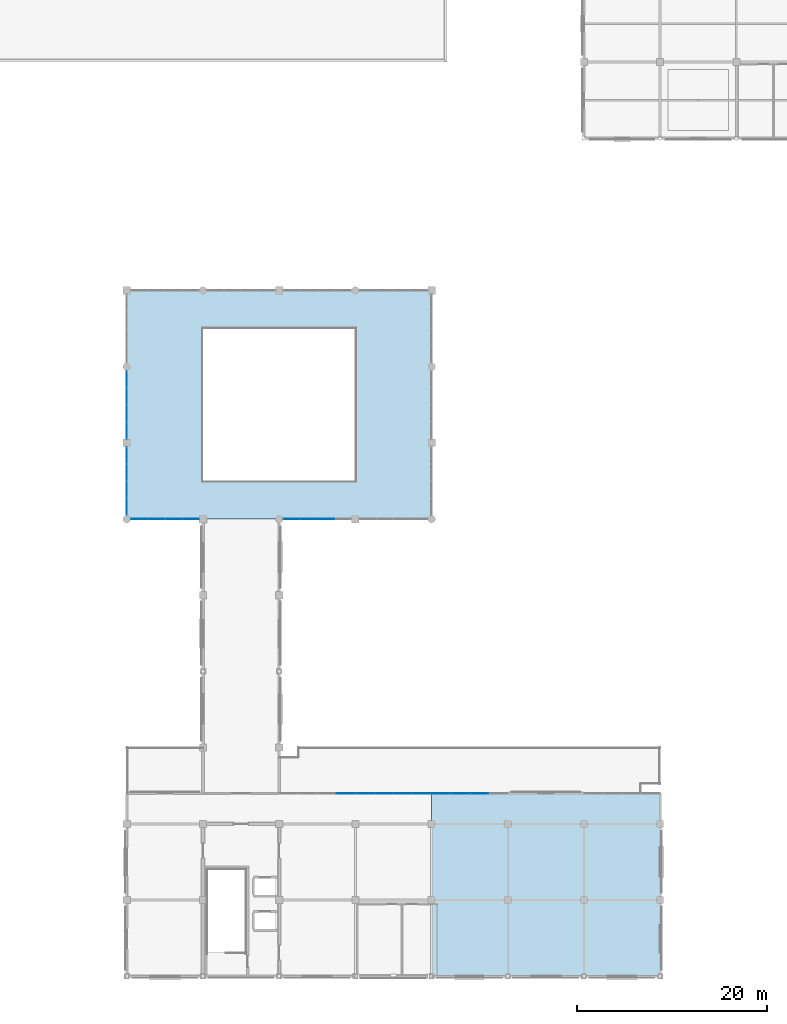
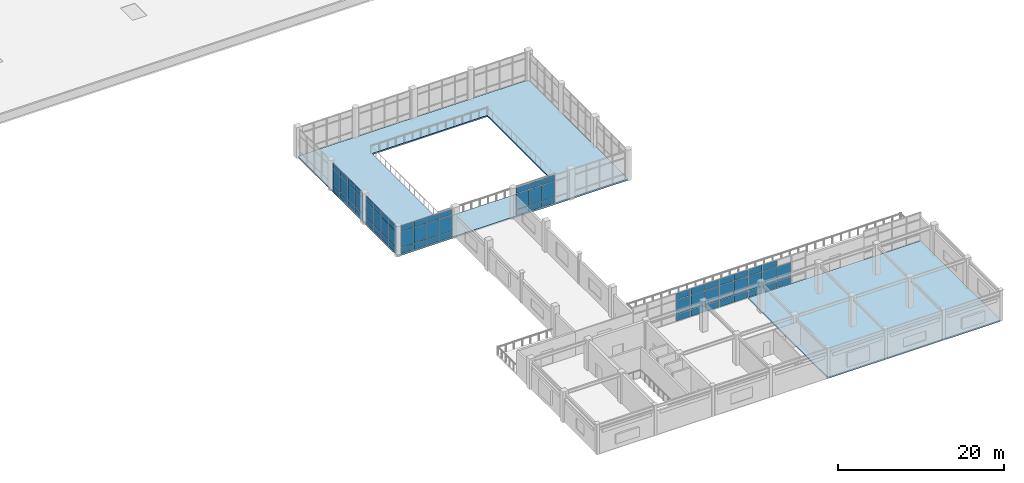
# One storey, part 27 of 42: 68 plates, 2 slabs, 7 elements without a shape of their own.
"""IFC4 building model written with IfcOpenShell, lengths in metres."""

from ifc_helpers import new_model, si_unit, direction, frame, origin, origin_2d, place, context, subcontext, project, spatial, polyline, rectangle, outline, extrude, material, layer, layer_set, type_object, element, aggregate, save


model = new_model("IFC4")

# Units and contexts
model_context = context("Model", 3, precision=1e-05, world=origin(), true_north=direction((0.0, 1.0)))
body_context = subcontext(model_context, "Body", "Model", "MODEL_VIEW")
ifc_project = project(units=[si_unit("LENGTHUNIT", "METRE"), si_unit("AREAUNIT", "SQUARE_METRE"), si_unit("VOLUMEUNIT", "CUBIC_METRE"), si_unit("PLANEANGLEUNIT", "RADIAN"), si_unit("MASSUNIT", "GRAM", prefix="KILO")], contexts=[model_context])

# Site, building, storey
site_placement = place(None, origin())
site = spatial("IfcSite", under=ifc_project, at=site_placement, CompositionType="ELEMENT")
building_placement = place(site_placement, origin())
building = spatial("IfcBuilding", under=site, at=building_placement, Name="Solmirada Galleria", CompositionType="ELEMENT")
storey_placement = place(building_placement, frame((0.0, 0.0, 28.39990234375)))
storey = spatial("IfcBuildingStorey", under=building, at=storey_placement, Name="L06", CompositionType="ELEMENT", Elevation=28.39990234375)

# Curtain wall, plates
ifc_material_1 = material(Name="Impact-resistant low-E double glazing", Category="glass")
curtain_wall_type_1 = type_object("IfcCurtainWallType", Name="CW-FZ3-L06-B4-L072", PredefinedType="NOTDEFINED", material=ifc_material_1)
curtain_wall_1_placement = place(storey_placement, origin())
curtain_wall_1 = element("IfcCurtainWall", 1, at=curtain_wall_1_placement, inside=storey, type_object=curtain_wall_type_1, Name="Terrace and arcade storefront CW-L06-185", PredefinedType="NOTDEFINED")
ifc_layer_1 = layer(ifc_material_1, 0.02392578125)
ifc_layer_set_1 = layer_set([ifc_layer_1], Name="Impact-resistant low-E double glazing")
plate_type_1 = type_object("IfcPlateType", Name="CW-PNL-CW38-T24", PredefinedType="CURTAIN_PANEL", material=ifc_layer_set_1)
plate_1_placement = place(storey_placement, frame((86.68359375, 48.0, 0.06005859375), z_axis=(0.0, 0.0, 1.0), x_axis=(-1.0, 0.0, 0.0)))
plate_1 = element("IfcPlate", 2, at=plate_1_placement, type_object=plate_type_1, Name="CW38 panel 1.1", PredefinedType="CURTAIN_PANEL", context=body_context, shape_type="SweptSolid", body=[
    extrude(rectangle(XDim=1.708984375, YDim=0.02392578125, at=origin_2d()), origin(), (0.0, 0.0, 1.0), 0.830078125),
])
plate_2_placement = place(storey_placement, frame((86.68359375, 48.0, 0.9501953125), z_axis=(0.0, 0.0, 1.0), x_axis=(-1.0, 0.0, 0.0)))
plate_2 = element("IfcPlate", 3, at=plate_2_placement, type_object=plate_type_1, Name="CW38 panel 1.2", PredefinedType="CURTAIN_PANEL", context=body_context, shape_type="SweptSolid", body=[
    extrude(rectangle(XDim=1.708984375, YDim=0.02392578125, at=origin_2d()), origin(), (0.0, 0.0, 1.0), 2.300048828125),
])
plate_3_placement = place(storey_placement, frame((86.68359375, 48.0, 3.31005859375), z_axis=(0.0, 0.0, 1.0), x_axis=(-1.0, 0.0, 0.0)))
plate_3 = element("IfcPlate", 4, at=plate_3_placement, type_object=plate_type_1, Name="CW38 panel 1.3", PredefinedType="CURTAIN_PANEL", context=body_context, shape_type="SweptSolid", body=[
    extrude(rectangle(XDim=1.708984375, YDim=0.02392578125, at=origin_2d()), origin(), (0.0, 0.0, 1.0), 0.85009765625),
])
plate_4_placement = place(storey_placement, frame((84.8994140625, 48.0, 0.06005859375), z_axis=(0.0, 0.0, 1.0), x_axis=(-1.0, 0.0, 0.0)))
plate_4 = element("IfcPlate", 5, at=plate_4_placement, type_object=plate_type_1, Name="CW38 panel 2.1", PredefinedType="CURTAIN_PANEL", context=body_context, shape_type="SweptSolid", body=[
    extrude(rectangle(XDim=1.739013671875, YDim=0.02392578125, at=origin_2d()), origin(), (0.0, 0.0, 1.0), 0.830078125),
])
plate_5_placement = place(storey_placement, frame((84.8994140625, 48.0, 0.9501953125), z_axis=(0.0, 0.0, 1.0), x_axis=(-1.0, 0.0, 0.0)))
plate_5 = element("IfcPlate", 6, at=plate_5_placement, type_object=plate_type_1, Name="CW38 panel 2.2", PredefinedType="CURTAIN_PANEL", context=body_context, shape_type="SweptSolid", body=[
    extrude(rectangle(XDim=1.739013671875, YDim=0.02392578125, at=origin_2d()), origin(), (0.0, 0.0, 1.0), 2.300048828125),
])
plate_6_placement = place(storey_placement, frame((84.8994140625, 48.0, 3.31005859375), z_axis=(0.0, 0.0, 1.0), x_axis=(-1.0, 0.0, 0.0)))
plate_6 = element("IfcPlate", 7, at=plate_6_placement, type_object=plate_type_1, Name="CW38 panel 2.3", PredefinedType="CURTAIN_PANEL", context=body_context, shape_type="SweptSolid", body=[
    extrude(rectangle(XDim=1.739013671875, YDim=0.02392578125, at=origin_2d()), origin(), (0.0, 0.0, 1.0), 0.85009765625),
])
plate_7_placement = place(storey_placement, frame((83.1005859375, 48.0, 0.06005859375), z_axis=(0.0, 0.0, 1.0), x_axis=(-1.0, 0.0, 0.0)))
plate_7 = element("IfcPlate", 8, at=plate_7_placement, type_object=plate_type_1, Name="CW38 panel 3.1", PredefinedType="CURTAIN_PANEL", context=body_context, shape_type="SweptSolid", body=[
    extrude(rectangle(XDim=1.739013671875, YDim=0.02392578125, at=origin_2d()), origin(), (0.0, 0.0, 1.0), 0.830078125),
])
plate_8_placement = place(storey_placement, frame((83.1005859375, 48.0, 0.9501953125), z_axis=(0.0, 0.0, 1.0), x_axis=(-1.0, 0.0, 0.0)))
plate_8 = element("IfcPlate", 9, at=plate_8_placement, type_object=plate_type_1, Name="CW38 panel 3.2", PredefinedType="CURTAIN_PANEL", context=body_context, shape_type="SweptSolid", body=[
    extrude(rectangle(XDim=1.739013671875, YDim=0.02392578125, at=origin_2d()), origin(), (0.0, 0.0, 1.0), 2.300048828125),
])
plate_9_placement = place(storey_placement, frame((83.1005859375, 48.0, 3.31005859375), z_axis=(0.0, 0.0, 1.0), x_axis=(-1.0, 0.0, 0.0)))
plate_9 = element("IfcPlate", 10, at=plate_9_placement, type_object=plate_type_1, Name="CW38 panel 3.3", PredefinedType="CURTAIN_PANEL", context=body_context, shape_type="SweptSolid", body=[
    extrude(rectangle(XDim=1.739013671875, YDim=0.02392578125, at=origin_2d()), origin(), (0.0, 0.0, 1.0), 0.85009765625),
])
plate_10_placement = place(storey_placement, frame((81.31640625, 48.0, 0.06005859375), z_axis=(0.0, 0.0, 1.0), x_axis=(-1.0, 0.0, 0.0)))
plate_10 = element("IfcPlate", 11, at=plate_10_placement, type_object=plate_type_1, Name="CW38 panel 4.1", PredefinedType="CURTAIN_PANEL", context=body_context, shape_type="SweptSolid", body=[
    extrude(rectangle(XDim=1.708984375, YDim=0.02392578125, at=origin_2d()), origin(), (0.0, 0.0, 1.0), 0.830078125),
])
plate_11_placement = place(storey_placement, frame((81.31640625, 48.0, 0.9501953125), z_axis=(0.0, 0.0, 1.0), x_axis=(-1.0, 0.0, 0.0)))
plate_11 = element("IfcPlate", 12, at=plate_11_placement, type_object=plate_type_1, Name="CW38 panel 4.2", PredefinedType="CURTAIN_PANEL", context=body_context, shape_type="SweptSolid", body=[
    extrude(rectangle(XDim=1.708984375, YDim=0.02392578125, at=origin_2d()), origin(), (0.0, 0.0, 1.0), 2.300048828125),
])
plate_12_placement = place(storey_placement, frame((81.31640625, 48.0, 3.31005859375), z_axis=(0.0, 0.0, 1.0), x_axis=(-1.0, 0.0, 0.0)))
plate_12 = element("IfcPlate", 13, at=plate_12_placement, type_object=plate_type_1, Name="CW38 panel 4.3", PredefinedType="CURTAIN_PANEL", context=body_context, shape_type="SweptSolid", body=[
    extrude(rectangle(XDim=1.708984375, YDim=0.02392578125, at=origin_2d()), origin(), (0.0, 0.0, 1.0), 0.85009765625),
])
aggregate(curtain_wall_1, [plate_1, plate_2, plate_3, plate_4, plate_5, plate_6, plate_7, plate_8, plate_9, plate_10, plate_11, plate_12])

curtain_wall_2_placement = place(storey_placement, origin())
curtain_wall_2 = element("IfcCurtainWall", 14, at=curtain_wall_2_placement, inside=storey, type_object=curtain_wall_type_1, Name="Terrace and arcade storefront CW-L06-186", PredefinedType="NOTDEFINED")
plate_13_placement = place(storey_placement, frame((80.0, 49.31640625, 0.06005859375), z_axis=(0.0, 0.0, 1.0), x_axis=(0.0, 1.0, 0.0)))
plate_13 = element("IfcPlate", 15, at=plate_13_placement, type_object=plate_type_1, Name="CW38 panel 1.1", PredefinedType="CURTAIN_PANEL", context=body_context, shape_type="SweptSolid", body=[
    extrude(rectangle(XDim=1.708984375, YDim=0.02392578125, at=origin_2d()), origin(), (0.0, 0.0, 1.0), 0.830078125),
])
plate_14_placement = place(storey_placement, frame((80.0, 49.31640625, 0.9501953125), z_axis=(0.0, 0.0, 1.0), x_axis=(0.0, 1.0, 0.0)))
plate_14 = element("IfcPlate", 16, at=plate_14_placement, type_object=plate_type_1, Name="CW38 panel 1.2", PredefinedType="CURTAIN_PANEL", context=body_context, shape_type="SweptSolid", body=[
    extrude(rectangle(XDim=1.708984375, YDim=0.02392578125, at=origin_2d()), origin(), (0.0, 0.0, 1.0), 2.300048828125),
])
plate_15_placement = place(storey_placement, frame((80.0, 49.31640625, 3.31005859375), z_axis=(0.0, 0.0, 1.0), x_axis=(0.0, 1.0, 0.0)))
plate_15 = element("IfcPlate", 17, at=plate_15_placement, type_object=plate_type_1, Name="CW38 panel 1.3", PredefinedType="CURTAIN_PANEL", context=body_context, shape_type="SweptSolid", body=[
    extrude(rectangle(XDim=1.708984375, YDim=0.02392578125, at=origin_2d()), origin(), (0.0, 0.0, 1.0), 0.85009765625),
])
plate_16_placement = place(storey_placement, frame((80.0, 51.1005859375, 0.06005859375), z_axis=(0.0, 0.0, 1.0), x_axis=(0.0, 1.0, 0.0)))
plate_16 = element("IfcPlate", 18, at=plate_16_placement, type_object=plate_type_1, Name="CW38 panel 2.1", PredefinedType="CURTAIN_PANEL", context=body_context, shape_type="SweptSolid", body=[
    extrude(rectangle(XDim=1.739013671875, YDim=0.02392578125, at=origin_2d()), origin(), (0.0, 0.0, 1.0), 0.830078125),
])
plate_17_placement = place(storey_placement, frame((80.0, 51.1005859375, 0.9501953125), z_axis=(0.0, 0.0, 1.0), x_axis=(0.0, 1.0, 0.0)))
plate_17 = element("IfcPlate", 19, at=plate_17_placement, type_object=plate_type_1, Name="CW38 panel 2.2", PredefinedType="CURTAIN_PANEL", context=body_context, shape_type="SweptSolid", body=[
    extrude(rectangle(XDim=1.739013671875, YDim=0.02392578125, at=origin_2d()), origin(), (0.0, 0.0, 1.0), 2.300048828125),
])
plate_18_placement = place(storey_placement, frame((80.0, 51.1005859375, 3.31005859375), z_axis=(0.0, 0.0, 1.0), x_axis=(0.0, 1.0, 0.0)))
plate_18 = element("IfcPlate", 20, at=plate_18_placement, type_object=plate_type_1, Name="CW38 panel 2.3", PredefinedType="CURTAIN_PANEL", context=body_context, shape_type="SweptSolid", body=[
    extrude(rectangle(XDim=1.739013671875, YDim=0.02392578125, at=origin_2d()), origin(), (0.0, 0.0, 1.0), 0.85009765625),
])
plate_19_placement = place(storey_placement, frame((80.0, 52.8994140625, 0.06005859375), z_axis=(0.0, 0.0, 1.0), x_axis=(0.0, 1.0, 0.0)))
plate_19 = element("IfcPlate", 21, at=plate_19_placement, type_object=plate_type_1, Name="CW38 panel 3.1", PredefinedType="CURTAIN_PANEL", context=body_context, shape_type="SweptSolid", body=[
    extrude(rectangle(XDim=1.739013671875, YDim=0.02392578125, at=origin_2d()), origin(), (0.0, 0.0, 1.0), 0.830078125),
])
plate_20_placement = place(storey_placement, frame((80.0, 52.8994140625, 0.9501953125), z_axis=(0.0, 0.0, 1.0), x_axis=(0.0, 1.0, 0.0)))
plate_20 = element("IfcPlate", 22, at=plate_20_placement, type_object=plate_type_1, Name="CW38 panel 3.2", PredefinedType="CURTAIN_PANEL", context=body_context, shape_type="SweptSolid", body=[
    extrude(rectangle(XDim=1.739013671875, YDim=0.02392578125, at=origin_2d()), origin(), (0.0, 0.0, 1.0), 2.300048828125),
])
plate_21_placement = place(storey_placement, frame((80.0, 52.8994140625, 3.31005859375), z_axis=(0.0, 0.0, 1.0), x_axis=(0.0, 1.0, 0.0)))
plate_21 = element("IfcPlate", 23, at=plate_21_placement, type_object=plate_type_1, Name="CW38 panel 3.3", PredefinedType="CURTAIN_PANEL", context=body_context, shape_type="SweptSolid", body=[
    extrude(rectangle(XDim=1.739013671875, YDim=0.02392578125, at=origin_2d()), origin(), (0.0, 0.0, 1.0), 0.85009765625),
])
plate_22_placement = place(storey_placement, frame((80.0, 54.68359375, 0.06005859375), z_axis=(0.0, 0.0, 1.0), x_axis=(0.0, 1.0, 0.0)))
plate_22 = element("IfcPlate", 24, at=plate_22_placement, type_object=plate_type_1, Name="CW38 panel 4.1", PredefinedType="CURTAIN_PANEL", context=body_context, shape_type="SweptSolid", body=[
    extrude(rectangle(XDim=1.708984375, YDim=0.02392578125, at=origin_2d()), origin(), (0.0, 0.0, 1.0), 0.830078125),
])
plate_23_placement = place(storey_placement, frame((80.0, 54.68359375, 0.9501953125), z_axis=(0.0, 0.0, 1.0), x_axis=(0.0, 1.0, 0.0)))
plate_23 = element("IfcPlate", 25, at=plate_23_placement, type_object=plate_type_1, Name="CW38 panel 4.2", PredefinedType="CURTAIN_PANEL", context=body_context, shape_type="SweptSolid", body=[
    extrude(rectangle(XDim=1.708984375, YDim=0.02392578125, at=origin_2d()), origin(), (0.0, 0.0, 1.0), 2.300048828125),
])
plate_24_placement = place(storey_placement, frame((80.0, 54.68359375, 3.31005859375), z_axis=(0.0, 0.0, 1.0), x_axis=(0.0, 1.0, 0.0)))
plate_24 = element("IfcPlate", 26, at=plate_24_placement, type_object=plate_type_1, Name="CW38 panel 4.3", PredefinedType="CURTAIN_PANEL", context=body_context, shape_type="SweptSolid", body=[
    extrude(rectangle(XDim=1.708984375, YDim=0.02392578125, at=origin_2d()), origin(), (0.0, 0.0, 1.0), 0.85009765625),
])
aggregate(curtain_wall_2, [plate_13, plate_14, plate_15, plate_16, plate_17, plate_18, plate_19, plate_20, plate_21, plate_22, plate_23, plate_24])

curtain_wall_3_placement = place(storey_placement, origin())
curtain_wall_3 = element("IfcCurtainWall", 27, at=curtain_wall_3_placement, inside=storey, type_object=curtain_wall_type_1, Name="Terrace and arcade storefront CW-L06-187", PredefinedType="NOTDEFINED")
plate_25_placement = place(storey_placement, frame((80.0, 57.31640625, 0.06005859375), z_axis=(0.0, 0.0, 1.0), x_axis=(0.0, 1.0, 0.0)))
plate_25 = element("IfcPlate", 28, at=plate_25_placement, type_object=plate_type_1, Name="CW38 panel 1.1", PredefinedType="CURTAIN_PANEL", context=body_context, shape_type="SweptSolid", body=[
    extrude(rectangle(XDim=1.708984375, YDim=0.02392578125, at=origin_2d()), origin(), (0.0, 0.0, 1.0), 0.830078125),
])
plate_26_placement = place(storey_placement, frame((80.0, 57.31640625, 0.9501953125), z_axis=(0.0, 0.0, 1.0), x_axis=(0.0, 1.0, 0.0)))
plate_26 = element("IfcPlate", 29, at=plate_26_placement, type_object=plate_type_1, Name="CW38 panel 1.2", PredefinedType="CURTAIN_PANEL", context=body_context, shape_type="SweptSolid", body=[
    extrude(rectangle(XDim=1.708984375, YDim=0.02392578125, at=origin_2d()), origin(), (0.0, 0.0, 1.0), 2.300048828125),
])
plate_27_placement = place(storey_placement, frame((80.0, 57.31640625, 3.31005859375), z_axis=(0.0, 0.0, 1.0), x_axis=(0.0, 1.0, 0.0)))
plate_27 = element("IfcPlate", 30, at=plate_27_placement, type_object=plate_type_1, Name="CW38 panel 1.3", PredefinedType="CURTAIN_PANEL", context=body_context, shape_type="SweptSolid", body=[
    extrude(rectangle(XDim=1.708984375, YDim=0.02392578125, at=origin_2d()), origin(), (0.0, 0.0, 1.0), 0.85009765625),
])
plate_28_placement = place(storey_placement, frame((80.0, 59.1005859375, 0.06005859375), z_axis=(0.0, 0.0, 1.0), x_axis=(0.0, 1.0, 0.0)))
plate_28 = element("IfcPlate", 31, at=plate_28_placement, type_object=plate_type_1, Name="CW38 panel 2.1", PredefinedType="CURTAIN_PANEL", context=body_context, shape_type="SweptSolid", body=[
    extrude(rectangle(XDim=1.739013671875, YDim=0.02392578125, at=origin_2d()), origin(), (0.0, 0.0, 1.0), 0.830078125),
])
plate_29_placement = place(storey_placement, frame((80.0, 59.1005859375, 0.9501953125), z_axis=(0.0, 0.0, 1.0), x_axis=(0.0, 1.0, 0.0)))
plate_29 = element("IfcPlate", 32, at=plate_29_placement, type_object=plate_type_1, Name="CW38 panel 2.2", PredefinedType="CURTAIN_PANEL", context=body_context, shape_type="SweptSolid", body=[
    extrude(rectangle(XDim=1.739013671875, YDim=0.02392578125, at=origin_2d()), origin(), (0.0, 0.0, 1.0), 2.300048828125),
])
plate_30_placement = place(storey_placement, frame((80.0, 59.1005859375, 3.31005859375), z_axis=(0.0, 0.0, 1.0), x_axis=(0.0, 1.0, 0.0)))
plate_30 = element("IfcPlate", 33, at=plate_30_placement, type_object=plate_type_1, Name="CW38 panel 2.3", PredefinedType="CURTAIN_PANEL", context=body_context, shape_type="SweptSolid", body=[
    extrude(rectangle(XDim=1.739013671875, YDim=0.02392578125, at=origin_2d()), origin(), (0.0, 0.0, 1.0), 0.85009765625),
])
plate_31_placement = place(storey_placement, frame((80.0, 60.8994140625, 0.06005859375), z_axis=(0.0, 0.0, 1.0), x_axis=(0.0, 1.0, 0.0)))
plate_31 = element("IfcPlate", 34, at=plate_31_placement, type_object=plate_type_1, Name="CW38 panel 3.1", PredefinedType="CURTAIN_PANEL", context=body_context, shape_type="SweptSolid", body=[
    extrude(rectangle(XDim=1.739013671875, YDim=0.02392578125, at=origin_2d()), origin(), (0.0, 0.0, 1.0), 0.830078125),
])
plate_32_placement = place(storey_placement, frame((80.0, 60.8994140625, 0.9501953125), z_axis=(0.0, 0.0, 1.0), x_axis=(0.0, 1.0, 0.0)))
plate_32 = element("IfcPlate", 35, at=plate_32_placement, type_object=plate_type_1, Name="CW38 panel 3.2", PredefinedType="CURTAIN_PANEL", context=body_context, shape_type="SweptSolid", body=[
    extrude(rectangle(XDim=1.739013671875, YDim=0.02392578125, at=origin_2d()), origin(), (0.0, 0.0, 1.0), 2.300048828125),
])
plate_33_placement = place(storey_placement, frame((80.0, 60.8994140625, 3.31005859375), z_axis=(0.0, 0.0, 1.0), x_axis=(0.0, 1.0, 0.0)))
plate_33 = element("IfcPlate", 36, at=plate_33_placement, type_object=plate_type_1, Name="CW38 panel 3.3", PredefinedType="CURTAIN_PANEL", context=body_context, shape_type="SweptSolid", body=[
    extrude(rectangle(XDim=1.739013671875, YDim=0.02392578125, at=origin_2d()), origin(), (0.0, 0.0, 1.0), 0.85009765625),
])
plate_34_placement = place(storey_placement, frame((80.0, 62.68359375, 0.06005859375), z_axis=(0.0, 0.0, 1.0), x_axis=(0.0, 1.0, 0.0)))
plate_34 = element("IfcPlate", 37, at=plate_34_placement, type_object=plate_type_1, Name="CW38 panel 4.1", PredefinedType="CURTAIN_PANEL", context=body_context, shape_type="SweptSolid", body=[
    extrude(rectangle(XDim=1.708984375, YDim=0.02392578125, at=origin_2d()), origin(), (0.0, 0.0, 1.0), 0.830078125),
])
plate_35_placement = place(storey_placement, frame((80.0, 62.68359375, 0.9501953125), z_axis=(0.0, 0.0, 1.0), x_axis=(0.0, 1.0, 0.0)))
plate_35 = element("IfcPlate", 38, at=plate_35_placement, type_object=plate_type_1, Name="CW38 panel 4.2", PredefinedType="CURTAIN_PANEL", context=body_context, shape_type="SweptSolid", body=[
    extrude(rectangle(XDim=1.708984375, YDim=0.02392578125, at=origin_2d()), origin(), (0.0, 0.0, 1.0), 2.300048828125),
])
plate_36_placement = place(storey_placement, frame((80.0, 62.68359375, 3.31005859375), z_axis=(0.0, 0.0, 1.0), x_axis=(0.0, 1.0, 0.0)))
plate_36 = element("IfcPlate", 39, at=plate_36_placement, type_object=plate_type_1, Name="CW38 panel 4.3", PredefinedType="CURTAIN_PANEL", context=body_context, shape_type="SweptSolid", body=[
    extrude(rectangle(XDim=1.708984375, YDim=0.02392578125, at=origin_2d()), origin(), (0.0, 0.0, 1.0), 0.85009765625),
])
aggregate(curtain_wall_3, [plate_25, plate_26, plate_27, plate_28, plate_29, plate_30, plate_31, plate_32, plate_33, plate_34, plate_35, plate_36])

curtain_wall_4_placement = place(storey_placement, origin())
curtain_wall_4 = element("IfcCurtainWall", 40, at=curtain_wall_4_placement, inside=storey, type_object=curtain_wall_type_1, Name="Terrace and arcade storefront CW-L06-197", PredefinedType="NOTDEFINED")
plate_37_placement = place(storey_placement, frame((100.8994140625, 48.0, 0.06005859375), z_axis=(0.0, 0.0, 1.0), x_axis=(-1.0, 0.0, 0.0)))
plate_37 = element("IfcPlate", 41, at=plate_37_placement, type_object=plate_type_1, Name="CW38 panel 2.1", PredefinedType="CURTAIN_PANEL", context=body_context, shape_type="SweptSolid", body=[
    extrude(rectangle(XDim=1.739013671875, YDim=0.02392578125, at=origin_2d()), origin(), (0.0, 0.0, 1.0), 0.830078125),
])
plate_38_placement = place(storey_placement, frame((100.8994140625, 48.0, 0.9501953125), z_axis=(0.0, 0.0, 1.0), x_axis=(-1.0, 0.0, 0.0)))
plate_38 = element("IfcPlate", 42, at=plate_38_placement, type_object=plate_type_1, Name="CW38 panel 2.2", PredefinedType="CURTAIN_PANEL", context=body_context, shape_type="SweptSolid", body=[
    extrude(rectangle(XDim=1.739013671875, YDim=0.02392578125, at=origin_2d()), origin(), (0.0, 0.0, 1.0), 2.300048828125),
])
plate_39_placement = place(storey_placement, frame((100.8994140625, 48.0, 3.31005859375), z_axis=(0.0, 0.0, 1.0), x_axis=(-1.0, 0.0, 0.0)))
plate_39 = element("IfcPlate", 43, at=plate_39_placement, type_object=plate_type_1, Name="CW38 panel 2.3", PredefinedType="CURTAIN_PANEL", context=body_context, shape_type="SweptSolid", body=[
    extrude(rectangle(XDim=1.739013671875, YDim=0.02392578125, at=origin_2d()), origin(), (0.0, 0.0, 1.0), 0.85009765625),
])
plate_40_placement = place(storey_placement, frame((99.1005859375, 48.0, 0.06005859375), z_axis=(0.0, 0.0, 1.0), x_axis=(-1.0, 0.0, 0.0)))
plate_40 = element("IfcPlate", 44, at=plate_40_placement, type_object=plate_type_1, Name="CW38 panel 3.1", PredefinedType="CURTAIN_PANEL", context=body_context, shape_type="SweptSolid", body=[
    extrude(rectangle(XDim=1.739013671875, YDim=0.02392578125, at=origin_2d()), origin(), (0.0, 0.0, 1.0), 0.830078125),
])
plate_41_placement = place(storey_placement, frame((99.1005859375, 48.0, 0.9501953125), z_axis=(0.0, 0.0, 1.0), x_axis=(-1.0, 0.0, 0.0)))
plate_41 = element("IfcPlate", 45, at=plate_41_placement, type_object=plate_type_1, Name="CW38 panel 3.2", PredefinedType="CURTAIN_PANEL", context=body_context, shape_type="SweptSolid", body=[
    extrude(rectangle(XDim=1.739013671875, YDim=0.02392578125, at=origin_2d()), origin(), (0.0, 0.0, 1.0), 2.300048828125),
])
plate_42_placement = place(storey_placement, frame((99.1005859375, 48.0, 3.31005859375), z_axis=(0.0, 0.0, 1.0), x_axis=(-1.0, 0.0, 0.0)))
plate_42 = element("IfcPlate", 46, at=plate_42_placement, type_object=plate_type_1, Name="CW38 panel 3.3", PredefinedType="CURTAIN_PANEL", context=body_context, shape_type="SweptSolid", body=[
    extrude(rectangle(XDim=1.739013671875, YDim=0.02392578125, at=origin_2d()), origin(), (0.0, 0.0, 1.0), 0.85009765625),
])
plate_43_placement = place(storey_placement, frame((97.31640625, 48.0, 0.06005859375), z_axis=(0.0, 0.0, 1.0), x_axis=(-1.0, 0.0, 0.0)))
plate_43 = element("IfcPlate", 47, at=plate_43_placement, type_object=plate_type_1, Name="CW38 panel 4.1", PredefinedType="CURTAIN_PANEL", context=body_context, shape_type="SweptSolid", body=[
    extrude(rectangle(XDim=1.708984375, YDim=0.02392578125, at=origin_2d()), origin(), (0.0, 0.0, 1.0), 0.830078125),
])
plate_44_placement = place(storey_placement, frame((97.31640625, 48.0, 0.9501953125), z_axis=(0.0, 0.0, 1.0), x_axis=(-1.0, 0.0, 0.0)))
plate_44 = element("IfcPlate", 48, at=plate_44_placement, type_object=plate_type_1, Name="CW38 panel 4.2", PredefinedType="CURTAIN_PANEL", context=body_context, shape_type="SweptSolid", body=[
    extrude(rectangle(XDim=1.708984375, YDim=0.02392578125, at=origin_2d()), origin(), (0.0, 0.0, 1.0), 2.300048828125),
])
plate_45_placement = place(storey_placement, frame((97.31640625, 48.0, 3.31005859375), z_axis=(0.0, 0.0, 1.0), x_axis=(-1.0, 0.0, 0.0)))
plate_45 = element("IfcPlate", 49, at=plate_45_placement, type_object=plate_type_1, Name="CW38 panel 4.3", PredefinedType="CURTAIN_PANEL", context=body_context, shape_type="SweptSolid", body=[
    extrude(rectangle(XDim=1.708984375, YDim=0.02392578125, at=origin_2d()), origin(), (0.0, 0.0, 1.0), 0.85009765625),
])
aggregate(curtain_wall_4, [plate_37, plate_38, plate_39, plate_40, plate_41, plate_42, plate_43, plate_44, plate_45])

curtain_wall_type_2 = type_object("IfcCurtainWallType", Name="CW-FZ5-L06-B4-L080", PredefinedType="NOTDEFINED", material=ifc_material_1)
curtain_wall_5_placement = place(storey_placement, origin())
curtain_wall_5 = element("IfcCurtainWall", 50, at=curtain_wall_5_placement, inside=storey, type_object=curtain_wall_type_2, Name="Terrace and arcade storefront CW-L06-198", PredefinedType="NOTDEFINED")
ifc_layer_2 = layer(ifc_material_1, 0.028076171875)
ifc_layer_set_2 = layer_set([ifc_layer_2], Name="Impact-resistant low-E double glazing")
plate_type_2 = type_object("IfcPlateType", Name="CW-PNL-CW39-T28", PredefinedType="CURTAIN_PANEL", material=ifc_layer_set_2)
plate_46_placement = place(storey_placement, frame((102.985107421875, 19.199951171875, 0.06005859375), z_axis=(0.0, 0.0, 1.0), x_axis=(1.0, 0.0, 0.0)))
plate_46 = element("IfcPlate", 51, at=plate_46_placement, type_object=plate_type_2, Name="CW39 panel 4.1", PredefinedType="CURTAIN_PANEL", context=body_context, shape_type="SweptSolid", body=[
    extrude(rectangle(XDim=1.909912109375, YDim=0.028076171875, at=origin_2d()), origin(), (0.0, 0.0, 1.0), 0.949951171875),
])
plate_47_placement = place(storey_placement, frame((102.985107421875, 19.199951171875, 1.070068359375), z_axis=(0.0, 0.0, 1.0), x_axis=(1.0, 0.0, 0.0)))
plate_47 = element("IfcPlate", 52, at=plate_47_placement, type_object=plate_type_2, Name="CW39 panel 4.2", PredefinedType="CURTAIN_PANEL", context=body_context, shape_type="SweptSolid", body=[
    extrude(rectangle(XDim=1.909912109375, YDim=0.028076171875, at=origin_2d()), origin(), (0.0, 0.0, 1.0), 2.080078125),
])
plate_48_placement = place(storey_placement, frame((102.985107421875, 19.199951171875, 3.2099609375), z_axis=(0.0, 0.0, 1.0), x_axis=(1.0, 0.0, 0.0)))
plate_48 = element("IfcPlate", 53, at=plate_48_placement, type_object=plate_type_2, Name="CW39 panel 4.3", PredefinedType="CURTAIN_PANEL", context=body_context, shape_type="SweptSolid", body=[
    extrude(rectangle(XDim=1.909912109375, YDim=0.028076171875, at=origin_2d()), origin(), (0.0, 0.0, 1.0), 0.949951171875),
])
aggregate(curtain_wall_5, [plate_46, plate_47, plate_48])

curtain_wall_6_placement = place(storey_placement, origin())
curtain_wall_6 = element("IfcCurtainWall", 54, at=curtain_wall_6_placement, inside=storey, type_object=curtain_wall_type_2, Name="Terrace and arcade storefront CW-L06-199", PredefinedType="NOTDEFINED")
plate_49_placement = place(storey_placement, frame((105.014892578125, 19.199951171875, 0.06005859375), z_axis=(0.0, 0.0, 1.0), x_axis=(1.0, 0.0, 0.0)))
plate_49 = element("IfcPlate", 55, at=plate_49_placement, type_object=plate_type_2, Name="CW39 panel 1.1", PredefinedType="CURTAIN_PANEL", context=body_context, shape_type="SweptSolid", body=[
    extrude(rectangle(XDim=1.909912109375, YDim=0.028076171875, at=origin_2d()), origin(), (0.0, 0.0, 1.0), 0.949951171875),
])
plate_50_placement = place(storey_placement, frame((105.014892578125, 19.199951171875, 1.070068359375), z_axis=(0.0, 0.0, 1.0), x_axis=(1.0, 0.0, 0.0)))
plate_50 = element("IfcPlate", 56, at=plate_50_placement, type_object=plate_type_2, Name="CW39 panel 1.2", PredefinedType="CURTAIN_PANEL", context=body_context, shape_type="SweptSolid", body=[
    extrude(rectangle(XDim=1.909912109375, YDim=0.028076171875, at=origin_2d()), origin(), (0.0, 0.0, 1.0), 2.080078125),
])
plate_51_placement = place(storey_placement, frame((105.014892578125, 19.199951171875, 3.2099609375), z_axis=(0.0, 0.0, 1.0), x_axis=(1.0, 0.0, 0.0)))
plate_51 = element("IfcPlate", 57, at=plate_51_placement, type_object=plate_type_2, Name="CW39 panel 1.3", PredefinedType="CURTAIN_PANEL", context=body_context, shape_type="SweptSolid", body=[
    extrude(rectangle(XDim=1.909912109375, YDim=0.028076171875, at=origin_2d()), origin(), (0.0, 0.0, 1.0), 0.949951171875),
])
plate_52_placement = place(storey_placement, frame((107.0, 19.199951171875, 0.06005859375), z_axis=(0.0, 0.0, 1.0), x_axis=(1.0, 0.0, 0.0)))
plate_52 = element("IfcPlate", 58, at=plate_52_placement, type_object=plate_type_2, Name="CW39 panel 2.1", PredefinedType="CURTAIN_PANEL", context=body_context, shape_type="SweptSolid", body=[
    extrude(rectangle(XDim=1.93994140625, YDim=0.028076171875, at=origin_2d()), origin(), (0.0, 0.0, 1.0), 0.949951171875),
])
plate_53_placement = place(storey_placement, frame((107.0, 19.199951171875, 1.070068359375), z_axis=(0.0, 0.0, 1.0), x_axis=(1.0, 0.0, 0.0)))
plate_53 = element("IfcPlate", 59, at=plate_53_placement, type_object=plate_type_2, Name="CW39 panel 2.2", PredefinedType="CURTAIN_PANEL", context=body_context, shape_type="SweptSolid", body=[
    extrude(rectangle(XDim=1.93994140625, YDim=0.028076171875, at=origin_2d()), origin(), (0.0, 0.0, 1.0), 2.080078125),
])
plate_54_placement = place(storey_placement, frame((107.0, 19.199951171875, 3.2099609375), z_axis=(0.0, 0.0, 1.0), x_axis=(1.0, 0.0, 0.0)))
plate_54 = element("IfcPlate", 60, at=plate_54_placement, type_object=plate_type_2, Name="CW39 panel 2.3", PredefinedType="CURTAIN_PANEL", context=body_context, shape_type="SweptSolid", body=[
    extrude(rectangle(XDim=1.93994140625, YDim=0.028076171875, at=origin_2d()), origin(), (0.0, 0.0, 1.0), 0.949951171875),
])
plate_55_placement = place(storey_placement, frame((109.0, 19.199951171875, 0.06005859375), z_axis=(0.0, 0.0, 1.0), x_axis=(1.0, 0.0, 0.0)))
plate_55 = element("IfcPlate", 61, at=plate_55_placement, type_object=plate_type_2, Name="CW39 panel 3.1", PredefinedType="CURTAIN_PANEL", context=body_context, shape_type="SweptSolid", body=[
    extrude(rectangle(XDim=1.93994140625, YDim=0.028076171875, at=origin_2d()), origin(), (0.0, 0.0, 1.0), 0.949951171875),
])
plate_56_placement = place(storey_placement, frame((109.0, 19.199951171875, 1.070068359375), z_axis=(0.0, 0.0, 1.0), x_axis=(1.0, 0.0, 0.0)))
plate_56 = element("IfcPlate", 62, at=plate_56_placement, type_object=plate_type_2, Name="CW39 panel 3.2", PredefinedType="CURTAIN_PANEL", context=body_context, shape_type="SweptSolid", body=[
    extrude(rectangle(XDim=1.93994140625, YDim=0.028076171875, at=origin_2d()), origin(), (0.0, 0.0, 1.0), 2.080078125),
])
plate_57_placement = place(storey_placement, frame((109.0, 19.199951171875, 3.2099609375), z_axis=(0.0, 0.0, 1.0), x_axis=(1.0, 0.0, 0.0)))
plate_57 = element("IfcPlate", 63, at=plate_57_placement, type_object=plate_type_2, Name="CW39 panel 3.3", PredefinedType="CURTAIN_PANEL", context=body_context, shape_type="SweptSolid", body=[
    extrude(rectangle(XDim=1.93994140625, YDim=0.028076171875, at=origin_2d()), origin(), (0.0, 0.0, 1.0), 0.949951171875),
])
plate_58_placement = place(storey_placement, frame((110.985107421875, 19.199951171875, 0.06005859375), z_axis=(0.0, 0.0, 1.0), x_axis=(1.0, 0.0, 0.0)))
plate_58 = element("IfcPlate", 64, at=plate_58_placement, type_object=plate_type_2, Name="CW39 panel 4.1", PredefinedType="CURTAIN_PANEL", context=body_context, shape_type="SweptSolid", body=[
    extrude(rectangle(XDim=1.909912109375, YDim=0.028076171875, at=origin_2d()), origin(), (0.0, 0.0, 1.0), 0.949951171875),
])
plate_59_placement = place(storey_placement, frame((110.985107421875, 19.199951171875, 1.070068359375), z_axis=(0.0, 0.0, 1.0), x_axis=(1.0, 0.0, 0.0)))
plate_59 = element("IfcPlate", 65, at=plate_59_placement, type_object=plate_type_2, Name="CW39 panel 4.2", PredefinedType="CURTAIN_PANEL", context=body_context, shape_type="SweptSolid", body=[
    extrude(rectangle(XDim=1.909912109375, YDim=0.028076171875, at=origin_2d()), origin(), (0.0, 0.0, 1.0), 2.080078125),
])
plate_60_placement = place(storey_placement, frame((110.985107421875, 19.199951171875, 3.2099609375), z_axis=(0.0, 0.0, 1.0), x_axis=(1.0, 0.0, 0.0)))
plate_60 = element("IfcPlate", 66, at=plate_60_placement, type_object=plate_type_2, Name="CW39 panel 4.3", PredefinedType="CURTAIN_PANEL", context=body_context, shape_type="SweptSolid", body=[
    extrude(rectangle(XDim=1.909912109375, YDim=0.028076171875, at=origin_2d()), origin(), (0.0, 0.0, 1.0), 0.949951171875),
])
aggregate(curtain_wall_6, [plate_49, plate_50, plate_51, plate_52, plate_53, plate_54, plate_55, plate_56, plate_57, plate_58, plate_59, plate_60])

curtain_wall_7_placement = place(storey_placement, origin())
curtain_wall_7 = element("IfcCurtainWall", 67, at=curtain_wall_7_placement, inside=storey, type_object=curtain_wall_type_2, Name="Terrace and arcade storefront CW-L06-200", PredefinedType="NOTDEFINED")
plate_61_placement = place(storey_placement, frame((113.014892578125, 19.199951171875, 0.06005859375), z_axis=(0.0, 0.0, 1.0), x_axis=(1.0, 0.0, 0.0)))
plate_61 = element("IfcPlate", 68, at=plate_61_placement, type_object=plate_type_2, Name="CW39 panel 1.1", PredefinedType="CURTAIN_PANEL", context=body_context, shape_type="SweptSolid", body=[
    extrude(rectangle(XDim=1.909912109375, YDim=0.028076171875, at=origin_2d()), origin(), (0.0, 0.0, 1.0), 0.949951171875),
])
plate_62_placement = place(storey_placement, frame((113.014892578125, 19.199951171875, 1.070068359375), z_axis=(0.0, 0.0, 1.0), x_axis=(1.0, 0.0, 0.0)))
plate_62 = element("IfcPlate", 69, at=plate_62_placement, type_object=plate_type_2, Name="CW39 panel 1.2", PredefinedType="CURTAIN_PANEL", context=body_context, shape_type="SweptSolid", body=[
    extrude(rectangle(XDim=1.909912109375, YDim=0.028076171875, at=origin_2d()), origin(), (0.0, 0.0, 1.0), 2.080078125),
])
plate_63_placement = place(storey_placement, frame((113.014892578125, 19.199951171875, 3.2099609375), z_axis=(0.0, 0.0, 1.0), x_axis=(1.0, 0.0, 0.0)))
plate_63 = element("IfcPlate", 70, at=plate_63_placement, type_object=plate_type_2, Name="CW39 panel 1.3", PredefinedType="CURTAIN_PANEL", context=body_context, shape_type="SweptSolid", body=[
    extrude(rectangle(XDim=1.909912109375, YDim=0.028076171875, at=origin_2d()), origin(), (0.0, 0.0, 1.0), 0.949951171875),
])
plate_64_placement = place(storey_placement, frame((115.0, 19.199951171875, 0.06005859375), z_axis=(0.0, 0.0, 1.0), x_axis=(1.0, 0.0, 0.0)))
plate_64 = element("IfcPlate", 71, at=plate_64_placement, type_object=plate_type_2, Name="CW39 panel 2.1", PredefinedType="CURTAIN_PANEL", context=body_context, shape_type="SweptSolid", body=[
    extrude(rectangle(XDim=1.93994140625, YDim=0.028076171875, at=origin_2d()), origin(), (0.0, 0.0, 1.0), 0.949951171875),
])
plate_65_placement = place(storey_placement, frame((115.0, 19.199951171875, 1.070068359375), z_axis=(0.0, 0.0, 1.0), x_axis=(1.0, 0.0, 0.0)))
plate_65 = element("IfcPlate", 72, at=plate_65_placement, type_object=plate_type_2, Name="CW39 panel 2.2", PredefinedType="CURTAIN_PANEL", context=body_context, shape_type="SweptSolid", body=[
    extrude(rectangle(XDim=1.93994140625, YDim=0.028076171875, at=origin_2d()), origin(), (0.0, 0.0, 1.0), 2.080078125),
])
plate_66_placement = place(storey_placement, frame((115.0, 19.199951171875, 3.2099609375), z_axis=(0.0, 0.0, 1.0), x_axis=(1.0, 0.0, 0.0)))
plate_66 = element("IfcPlate", 73, at=plate_66_placement, type_object=plate_type_2, Name="CW39 panel 2.3", PredefinedType="CURTAIN_PANEL", context=body_context, shape_type="SweptSolid", body=[
    extrude(rectangle(XDim=1.93994140625, YDim=0.028076171875, at=origin_2d()), origin(), (0.0, 0.0, 1.0), 0.949951171875),
])
plate_67_placement = place(storey_placement, frame((117.0, 19.199951171875, 0.06005859375), z_axis=(0.0, 0.0, 1.0), x_axis=(1.0, 0.0, 0.0)))
plate_67 = element("IfcPlate", 74, at=plate_67_placement, type_object=plate_type_2, Name="CW39 panel 3.1", PredefinedType="CURTAIN_PANEL", context=body_context, shape_type="SweptSolid", body=[
    extrude(rectangle(XDim=1.93994140625, YDim=0.028076171875, at=origin_2d()), origin(), (0.0, 0.0, 1.0), 0.949951171875),
])
plate_68_placement = place(storey_placement, frame((117.0, 19.199951171875, 1.070068359375), z_axis=(0.0, 0.0, 1.0), x_axis=(1.0, 0.0, 0.0)))
plate_68 = element("IfcPlate", 75, at=plate_68_placement, type_object=plate_type_2, Name="CW39 panel 3.2", PredefinedType="CURTAIN_PANEL", context=body_context, shape_type="SweptSolid", body=[
    extrude(rectangle(XDim=1.93994140625, YDim=0.028076171875, at=origin_2d()), origin(), (0.0, 0.0, 1.0), 2.080078125),
])
aggregate(curtain_wall_7, [plate_61, plate_62, plate_63, plate_64, plate_65, plate_66, plate_67, plate_68])

# Slabs
ifc_material_2 = material(Name="Concrete C35/45", Category="concrete")
ifc_layer_3 = layer(ifc_material_2, 0.199951171875)
ifc_layer_set_3 = layer_set([ifc_layer_3], Name="Concrete C35/45")
slab_type = type_object("IfcSlabType", Name="SLB-FLOOR-200", PredefinedType="FLOOR", material=ifc_layer_set_3)
slab_1_placement = place(storey_placement, frame((0.0, 0.0, -0.199951171875)))
element("IfcSlab", 76, at=slab_1_placement, inside=storey, type_object=slab_type, Name="Slab L06-SOUTH-E", PredefinedType="FLOOR", context=body_context, shape_type="SweptSolid", body=[
    extrude(outline(polyline([(112.0, 0.0), (136.0, 0.0), (136.0, 19.199951171875), (112.0, 19.199951171875), (112.0, 0.0)])), origin(), (0.0, 0.0, 1.0), 0.199951171875),
])
slab_2_placement = place(storey_placement, frame((0.0, 0.0, -0.199951171875)))
element("IfcSlab", 77, at=slab_2_placement, inside=storey, type_object=slab_type, Name="Slab L06-ATRIUM", PredefinedType="FLOOR", context=body_context, shape_type="SweptSolid", body=[
    extrude(outline(polyline([(80.0, 48.0), (112.0, 48.0), (112.0, 72.0), (80.0, 72.0), (80.0, 48.0)]), holes=[polyline([(88.0, 52.0), (104.0, 52.0), (104.0, 68.0), (88.0, 68.0), (88.0, 52.0)])]), origin(), (0.0, 0.0, 1.0), 0.199951171875),
])

save(model, "model.ifc")
